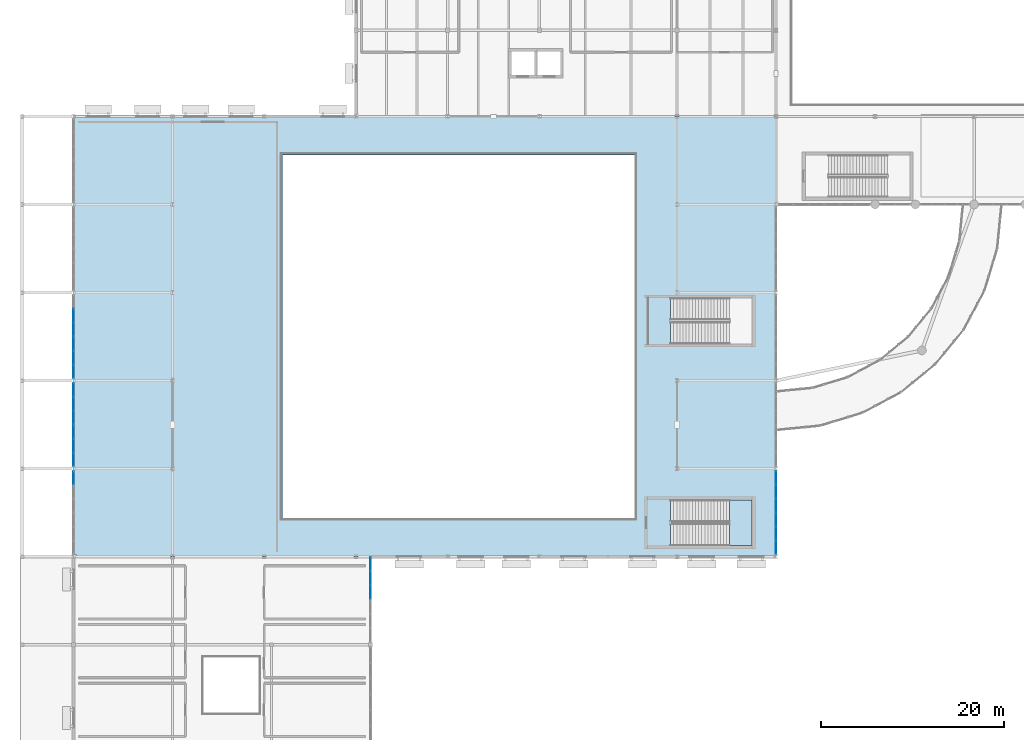
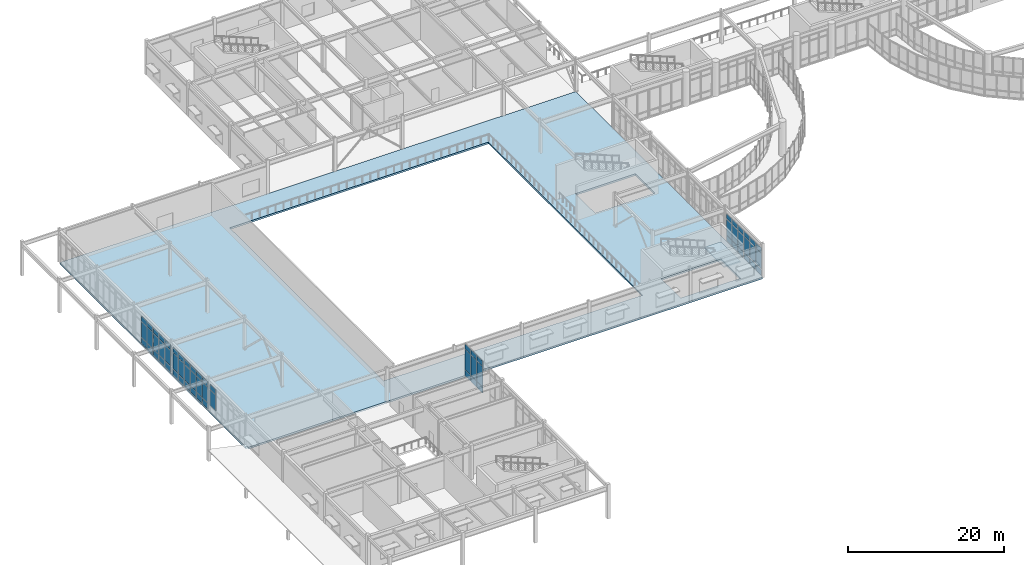
# One storey, part 38 of 72: 62 plates, 2 slabs, 9 elements without a shape of their own.
"""IFC4 building model written with IfcOpenShell, lengths in metres."""

from ifc_helpers import new_model, si_unit, direction, frame, origin, origin_2d, place, context, subcontext, project, spatial, polyline, rectangle, outline, extrude, material, layer, layer_set, type_object, element, aggregate, save


model = new_model("IFC4")

# Units and contexts
model_context = context("Model", 3, precision=1e-05, world=origin(), true_north=direction((0.0, 1.0)))
body_context = subcontext(model_context, "Body", "Model", "MODEL_VIEW")
ifc_project = project(units=[si_unit("LENGTHUNIT", "METRE"), si_unit("AREAUNIT", "SQUARE_METRE"), si_unit("VOLUMEUNIT", "CUBIC_METRE"), si_unit("PLANEANGLEUNIT", "RADIAN"), si_unit("MASSUNIT", "GRAM", prefix="KILO")], contexts=[model_context])

# Site, building, storey
site_placement = place(None, origin())
site = spatial("IfcSite", under=ifc_project, at=site_placement, CompositionType="ELEMENT")
building_placement = place(site_placement, origin())
building = spatial("IfcBuilding", under=site, at=building_placement, Name="Veldera Park Congress Hotel", CompositionType="ELEMENT")
storey_placement = place(building_placement, frame((0.0, 0.0, 5.39990234375)))
storey = spatial("IfcBuildingStorey", under=building, at=storey_placement, Name="L01", CompositionType="ELEMENT", Elevation=5.39990234375)

# Curtain wall, plates
ifc_material_1 = material(Name="Low-E Triple Insulating Glass Unit (SHGC 0.22)", Category="glass")
curtain_wall_type_1 = type_object("IfcCurtainWallType", Name="CW-CNG", PredefinedType="NOTDEFINED", material=ifc_material_1)
curtain_wall_1_placement = place(storey_placement, origin())
curtain_wall_1 = element("IfcCurtainWall", 1, at=curtain_wall_1_placement, inside=storey, type_object=curtain_wall_type_1, Name="L01 Curtain Wall CW3-V1W-L01-015", PredefinedType="NOTDEFINED")
ifc_layer_1 = layer(ifc_material_1, 0.035888671875)
ifc_layer_set_1 = layer_set([ifc_layer_1], Name="Low-E Triple Insulating Glass Unit (SHGC 0.22)")
plate_type_1 = type_object("IfcPlateType", Name="CWP-IGU36", PredefinedType="CURTAIN_PANEL", material=ifc_layer_set_1)
plate_1_placement = place(storey_placement, frame((-78.199951171875, 5.293701171875, 0.0751953125), z_axis=(0.0, 0.0, 1.0), x_axis=(0.0, -1.0, 0.0)))
plate_1 = element("IfcPlate", 2, at=plate_1_placement, type_object=plate_type_1, Name="CW-CNG panel 2.1", PredefinedType="CURTAIN_PANEL", context=body_context, shape_type="SweptSolid", body=[
    extrude(rectangle(XDim=1.444091796875, YDim=0.035888671875, at=origin_2d()), origin(), (0.0, 0.0, 1.0), 0.887451171875),
])
plate_2_placement = place(storey_placement, frame((-78.199951171875, 5.293701171875, 1.03759765625), z_axis=(0.0, 0.0, 1.0), x_axis=(0.0, -1.0, 0.0)))
plate_2 = element("IfcPlate", 3, at=plate_2_placement, type_object=plate_type_1, Name="CW-CNG panel 2.2", PredefinedType="CURTAIN_PANEL", context=body_context, shape_type="SweptSolid", body=[
    extrude(rectangle(XDim=1.444091796875, YDim=0.035888671875, at=origin_2d()), origin(), (0.0, 0.0, 1.0), 2.4541015625),
])
plate_3_placement = place(storey_placement, frame((-78.199951171875, 5.293701171875, 3.566650390625), z_axis=(0.0, 0.0, 1.0), x_axis=(0.0, -1.0, 0.0)))
plate_3 = element("IfcPlate", 4, at=plate_3_placement, type_object=plate_type_1, Name="CW-CNG panel 2.3", PredefinedType="CURTAIN_PANEL", context=body_context, shape_type="SweptSolid", body=[
    extrude(rectangle(XDim=1.444091796875, YDim=0.035888671875, at=origin_2d()), origin(), (0.0, 0.0, 1.0), 0.78759765625),
])
plate_4_placement = place(storey_placement, frame((-78.199951171875, 3.793212890625, 0.0751953125), z_axis=(0.0, 0.0, 1.0), x_axis=(0.0, -1.0, 0.0)))
plate_4 = element("IfcPlate", 5, at=plate_4_placement, type_object=plate_type_1, Name="CW-CNG panel 3.1", PredefinedType="CURTAIN_PANEL", context=body_context, shape_type="SweptSolid", body=[
    extrude(rectangle(XDim=1.40673828125, YDim=0.035888671875, at=origin_2d()), origin(), (0.0, 0.0, 1.0), 0.887451171875),
])
plate_5_placement = place(storey_placement, frame((-78.199951171875, 3.793212890625, 1.03759765625), z_axis=(0.0, 0.0, 1.0), x_axis=(0.0, -1.0, 0.0)))
plate_5 = element("IfcPlate", 6, at=plate_5_placement, type_object=plate_type_1, Name="CW-CNG panel 3.2", PredefinedType="CURTAIN_PANEL", context=body_context, shape_type="SweptSolid", body=[
    extrude(rectangle(XDim=1.40673828125, YDim=0.035888671875, at=origin_2d()), origin(), (0.0, 0.0, 1.0), 2.4541015625),
])
plate_6_placement = place(storey_placement, frame((-78.199951171875, 3.793212890625, 3.566650390625), z_axis=(0.0, 0.0, 1.0), x_axis=(0.0, -1.0, 0.0)))
plate_6 = element("IfcPlate", 7, at=plate_6_placement, type_object=plate_type_1, Name="CW-CNG panel 3.3", PredefinedType="CURTAIN_PANEL", context=body_context, shape_type="SweptSolid", body=[
    extrude(rectangle(XDim=1.40673828125, YDim=0.035888671875, at=origin_2d()), origin(), (0.0, 0.0, 1.0), 0.78759765625),
])
aggregate(curtain_wall_1, [plate_1, plate_2, plate_3, plate_4, plate_5, plate_6])

curtain_wall_2_placement = place(storey_placement, origin())
curtain_wall_2 = element("IfcCurtainWall", 8, at=curtain_wall_2_placement, inside=storey, type_object=curtain_wall_type_1, Name="L01 Curtain Wall CW3-V1W-L01-016", PredefinedType="NOTDEFINED")
plate_7_placement = place(storey_placement, frame((-78.199951171875, 2.206787109375, 0.0751953125), z_axis=(0.0, 0.0, 1.0), x_axis=(0.0, -1.0, 0.0)))
plate_7 = element("IfcPlate", 9, at=plate_7_placement, type_object=plate_type_1, Name="CW-CNG panel 1.1", PredefinedType="CURTAIN_PANEL", context=body_context, shape_type="SweptSolid", body=[
    extrude(rectangle(XDim=1.40673828125, YDim=0.035888671875, at=origin_2d()), origin(), (0.0, 0.0, 1.0), 0.887451171875),
])
plate_8_placement = place(storey_placement, frame((-78.199951171875, 2.206787109375, 1.03759765625), z_axis=(0.0, 0.0, 1.0), x_axis=(0.0, -1.0, 0.0)))
plate_8 = element("IfcPlate", 10, at=plate_8_placement, type_object=plate_type_1, Name="CW-CNG panel 1.2", PredefinedType="CURTAIN_PANEL", context=body_context, shape_type="SweptSolid", body=[
    extrude(rectangle(XDim=1.40673828125, YDim=0.035888671875, at=origin_2d()), origin(), (0.0, 0.0, 1.0), 2.4541015625),
])
plate_9_placement = place(storey_placement, frame((-78.199951171875, 2.206787109375, 3.566650390625), z_axis=(0.0, 0.0, 1.0), x_axis=(0.0, -1.0, 0.0)))
plate_9 = element("IfcPlate", 11, at=plate_9_placement, type_object=plate_type_1, Name="CW-CNG panel 1.3", PredefinedType="CURTAIN_PANEL", context=body_context, shape_type="SweptSolid", body=[
    extrude(rectangle(XDim=1.40673828125, YDim=0.035888671875, at=origin_2d()), origin(), (0.0, 0.0, 1.0), 0.78759765625),
])
plate_10_placement = place(storey_placement, frame((-78.199951171875, 0.706298828125, 0.0751953125), z_axis=(0.0, 0.0, 1.0), x_axis=(0.0, -1.0, 0.0)))
plate_10 = element("IfcPlate", 12, at=plate_10_placement, type_object=plate_type_1, Name="CW-CNG panel 2.1", PredefinedType="CURTAIN_PANEL", context=body_context, shape_type="SweptSolid", body=[
    extrude(rectangle(XDim=1.444091796875, YDim=0.035888671875, at=origin_2d()), origin(), (0.0, 0.0, 1.0), 0.887451171875),
])
plate_11_placement = place(storey_placement, frame((-78.199951171875, 0.706298828125, 1.03759765625), z_axis=(0.0, 0.0, 1.0), x_axis=(0.0, -1.0, 0.0)))
plate_11 = element("IfcPlate", 13, at=plate_11_placement, type_object=plate_type_1, Name="CW-CNG panel 2.2", PredefinedType="CURTAIN_PANEL", context=body_context, shape_type="SweptSolid", body=[
    extrude(rectangle(XDim=1.444091796875, YDim=0.035888671875, at=origin_2d()), origin(), (0.0, 0.0, 1.0), 2.4541015625),
])
plate_12_placement = place(storey_placement, frame((-78.199951171875, 0.706298828125, 3.566650390625), z_axis=(0.0, 0.0, 1.0), x_axis=(0.0, -1.0, 0.0)))
plate_12 = element("IfcPlate", 14, at=plate_12_placement, type_object=plate_type_1, Name="CW-CNG panel 2.3", PredefinedType="CURTAIN_PANEL", context=body_context, shape_type="SweptSolid", body=[
    extrude(rectangle(XDim=1.444091796875, YDim=0.035888671875, at=origin_2d()), origin(), (0.0, 0.0, 1.0), 0.78759765625),
])
plate_13_placement = place(storey_placement, frame((-78.199951171875, -0.794189453125, 0.0751953125), z_axis=(0.0, 0.0, 1.0), x_axis=(0.0, -1.0, 0.0)))
plate_13 = element("IfcPlate", 15, at=plate_13_placement, type_object=plate_type_1, Name="CW-CNG panel 3.1", PredefinedType="CURTAIN_PANEL", context=body_context, shape_type="SweptSolid", body=[
    extrude(rectangle(XDim=1.40673828125, YDim=0.035888671875, at=origin_2d()), origin(), (0.0, 0.0, 1.0), 0.887451171875),
])
plate_14_placement = place(storey_placement, frame((-78.199951171875, -0.794189453125, 1.03759765625), z_axis=(0.0, 0.0, 1.0), x_axis=(0.0, -1.0, 0.0)))
plate_14 = element("IfcPlate", 16, at=plate_14_placement, type_object=plate_type_1, Name="CW-CNG panel 3.2", PredefinedType="CURTAIN_PANEL", context=body_context, shape_type="SweptSolid", body=[
    extrude(rectangle(XDim=1.40673828125, YDim=0.035888671875, at=origin_2d()), origin(), (0.0, 0.0, 1.0), 2.4541015625),
])
plate_15_placement = place(storey_placement, frame((-78.199951171875, -0.794189453125, 3.566650390625), z_axis=(0.0, 0.0, 1.0), x_axis=(0.0, -1.0, 0.0)))
plate_15 = element("IfcPlate", 17, at=plate_15_placement, type_object=plate_type_1, Name="CW-CNG panel 3.3", PredefinedType="CURTAIN_PANEL", context=body_context, shape_type="SweptSolid", body=[
    extrude(rectangle(XDim=1.40673828125, YDim=0.035888671875, at=origin_2d()), origin(), (0.0, 0.0, 1.0), 0.78759765625),
])
aggregate(curtain_wall_2, [plate_7, plate_8, plate_9, plate_10, plate_11, plate_12, plate_13, plate_14, plate_15])

curtain_wall_3_placement = place(storey_placement, origin())
curtain_wall_3 = element("IfcCurtainWall", 18, at=curtain_wall_3_placement, inside=storey, type_object=curtain_wall_type_1, Name="L01 Curtain Wall CW3-V1W-L01-017", PredefinedType="NOTDEFINED")
plate_16_placement = place(storey_placement, frame((-78.199951171875, -2.805908203125, 0.0751953125), z_axis=(0.0, 0.0, 1.0), x_axis=(0.0, -1.0, 0.0)))
plate_16 = element("IfcPlate", 19, at=plate_16_placement, type_object=plate_type_1, Name="CW-CNG panel 1.1", PredefinedType="CURTAIN_PANEL", context=body_context, shape_type="SweptSolid", body=[
    extrude(rectangle(XDim=1.40673828125, YDim=0.035888671875, at=origin_2d()), origin(), (0.0, 0.0, 1.0), 0.887451171875),
])
plate_17_placement = place(storey_placement, frame((-78.199951171875, -2.805908203125, 1.03759765625), z_axis=(0.0, 0.0, 1.0), x_axis=(0.0, -1.0, 0.0)))
plate_17 = element("IfcPlate", 20, at=plate_17_placement, type_object=plate_type_1, Name="CW-CNG panel 1.2", PredefinedType="CURTAIN_PANEL", context=body_context, shape_type="SweptSolid", body=[
    extrude(rectangle(XDim=1.40673828125, YDim=0.035888671875, at=origin_2d()), origin(), (0.0, 0.0, 1.0), 2.4541015625),
])
plate_18_placement = place(storey_placement, frame((-78.199951171875, -2.805908203125, 3.566650390625), z_axis=(0.0, 0.0, 1.0), x_axis=(0.0, -1.0, 0.0)))
plate_18 = element("IfcPlate", 21, at=plate_18_placement, type_object=plate_type_1, Name="CW-CNG panel 1.3", PredefinedType="CURTAIN_PANEL", context=body_context, shape_type="SweptSolid", body=[
    extrude(rectangle(XDim=1.40673828125, YDim=0.035888671875, at=origin_2d()), origin(), (0.0, 0.0, 1.0), 0.78759765625),
])
plate_19_placement = place(storey_placement, frame((-78.199951171875, -4.30615234375, 0.0751953125), z_axis=(0.0, 0.0, 1.0), x_axis=(0.0, -1.0, 0.0)))
plate_19 = element("IfcPlate", 22, at=plate_19_placement, type_object=plate_type_1, Name="CW-CNG panel 2.1", PredefinedType="CURTAIN_PANEL", context=body_context, shape_type="SweptSolid", body=[
    extrude(rectangle(XDim=1.444091796875, YDim=0.035888671875, at=origin_2d()), origin(), (0.0, 0.0, 1.0), 0.887451171875),
])
plate_20_placement = place(storey_placement, frame((-78.199951171875, -4.30615234375, 1.03759765625), z_axis=(0.0, 0.0, 1.0), x_axis=(0.0, -1.0, 0.0)))
plate_20 = element("IfcPlate", 23, at=plate_20_placement, type_object=plate_type_1, Name="CW-CNG panel 2.2", PredefinedType="CURTAIN_PANEL", context=body_context, shape_type="SweptSolid", body=[
    extrude(rectangle(XDim=1.444091796875, YDim=0.035888671875, at=origin_2d()), origin(), (0.0, 0.0, 1.0), 2.4541015625),
])
plate_21_placement = place(storey_placement, frame((-78.199951171875, -4.30615234375, 3.566650390625), z_axis=(0.0, 0.0, 1.0), x_axis=(0.0, -1.0, 0.0)))
plate_21 = element("IfcPlate", 24, at=plate_21_placement, type_object=plate_type_1, Name="CW-CNG panel 2.3", PredefinedType="CURTAIN_PANEL", context=body_context, shape_type="SweptSolid", body=[
    extrude(rectangle(XDim=1.444091796875, YDim=0.035888671875, at=origin_2d()), origin(), (0.0, 0.0, 1.0), 0.78759765625),
])
plate_22_placement = place(storey_placement, frame((-78.199951171875, -5.806640625, 0.0751953125), z_axis=(0.0, 0.0, 1.0), x_axis=(0.0, -1.0, 0.0)))
plate_22 = element("IfcPlate", 25, at=plate_22_placement, type_object=plate_type_1, Name="CW-CNG panel 3.1", PredefinedType="CURTAIN_PANEL", context=body_context, shape_type="SweptSolid", body=[
    extrude(rectangle(XDim=1.40673828125, YDim=0.035888671875, at=origin_2d()), origin(), (0.0, 0.0, 1.0), 0.887451171875),
])
plate_23_placement = place(storey_placement, frame((-78.199951171875, -5.806640625, 1.03759765625), z_axis=(0.0, 0.0, 1.0), x_axis=(0.0, -1.0, 0.0)))
plate_23 = element("IfcPlate", 26, at=plate_23_placement, type_object=plate_type_1, Name="CW-CNG panel 3.2", PredefinedType="CURTAIN_PANEL", context=body_context, shape_type="SweptSolid", body=[
    extrude(rectangle(XDim=1.40673828125, YDim=0.035888671875, at=origin_2d()), origin(), (0.0, 0.0, 1.0), 2.4541015625),
])
plate_24_placement = place(storey_placement, frame((-78.199951171875, -5.806640625, 3.566650390625), z_axis=(0.0, 0.0, 1.0), x_axis=(0.0, -1.0, 0.0)))
plate_24 = element("IfcPlate", 27, at=plate_24_placement, type_object=plate_type_1, Name="CW-CNG panel 3.3", PredefinedType="CURTAIN_PANEL", context=body_context, shape_type="SweptSolid", body=[
    extrude(rectangle(XDim=1.40673828125, YDim=0.035888671875, at=origin_2d()), origin(), (0.0, 0.0, 1.0), 0.78759765625),
])
aggregate(curtain_wall_3, [plate_16, plate_17, plate_18, plate_19, plate_20, plate_21, plate_22, plate_23, plate_24])

curtain_wall_4_placement = place(storey_placement, origin())
curtain_wall_4 = element("IfcCurtainWall", 28, at=curtain_wall_4_placement, inside=storey, type_object=curtain_wall_type_1, Name="L01 Curtain Wall CW3-V1W-L01-018", PredefinedType="NOTDEFINED")
plate_25_placement = place(storey_placement, frame((-78.199951171875, -7.393310546875, 0.0751953125), z_axis=(0.0, 0.0, 1.0), x_axis=(0.0, -1.0, 0.0)))
plate_25 = element("IfcPlate", 29, at=plate_25_placement, type_object=plate_type_1, Name="CW-CNG panel 1.1", PredefinedType="CURTAIN_PANEL", context=body_context, shape_type="SweptSolid", body=[
    extrude(rectangle(XDim=1.40673828125, YDim=0.035888671875, at=origin_2d()), origin(), (0.0, 0.0, 1.0), 0.887451171875),
])
plate_26_placement = place(storey_placement, frame((-78.199951171875, -7.393310546875, 1.03759765625), z_axis=(0.0, 0.0, 1.0), x_axis=(0.0, -1.0, 0.0)))
plate_26 = element("IfcPlate", 30, at=plate_26_placement, type_object=plate_type_1, Name="CW-CNG panel 1.2", PredefinedType="CURTAIN_PANEL", context=body_context, shape_type="SweptSolid", body=[
    extrude(rectangle(XDim=1.40673828125, YDim=0.035888671875, at=origin_2d()), origin(), (0.0, 0.0, 1.0), 2.4541015625),
])
plate_27_placement = place(storey_placement, frame((-78.199951171875, -7.393310546875, 3.566650390625), z_axis=(0.0, 0.0, 1.0), x_axis=(0.0, -1.0, 0.0)))
plate_27 = element("IfcPlate", 31, at=plate_27_placement, type_object=plate_type_1, Name="CW-CNG panel 1.3", PredefinedType="CURTAIN_PANEL", context=body_context, shape_type="SweptSolid", body=[
    extrude(rectangle(XDim=1.40673828125, YDim=0.035888671875, at=origin_2d()), origin(), (0.0, 0.0, 1.0), 0.78759765625),
])
plate_28_placement = place(storey_placement, frame((-78.199951171875, -8.893798828125, 0.0751953125), z_axis=(0.0, 0.0, 1.0), x_axis=(0.0, -1.0, 0.0)))
plate_28 = element("IfcPlate", 32, at=plate_28_placement, type_object=plate_type_1, Name="CW-CNG panel 2.1", PredefinedType="CURTAIN_PANEL", context=body_context, shape_type="SweptSolid", body=[
    extrude(rectangle(XDim=1.444091796875, YDim=0.035888671875, at=origin_2d()), origin(), (0.0, 0.0, 1.0), 0.887451171875),
])
plate_29_placement = place(storey_placement, frame((-78.199951171875, -8.893798828125, 1.03759765625), z_axis=(0.0, 0.0, 1.0), x_axis=(0.0, -1.0, 0.0)))
plate_29 = element("IfcPlate", 33, at=plate_29_placement, type_object=plate_type_1, Name="CW-CNG panel 2.2", PredefinedType="CURTAIN_PANEL", context=body_context, shape_type="SweptSolid", body=[
    extrude(rectangle(XDim=1.444091796875, YDim=0.035888671875, at=origin_2d()), origin(), (0.0, 0.0, 1.0), 2.4541015625),
])
plate_30_placement = place(storey_placement, frame((-78.199951171875, -8.893798828125, 3.566650390625), z_axis=(0.0, 0.0, 1.0), x_axis=(0.0, -1.0, 0.0)))
plate_30 = element("IfcPlate", 34, at=plate_30_placement, type_object=plate_type_1, Name="CW-CNG panel 2.3", PredefinedType="CURTAIN_PANEL", context=body_context, shape_type="SweptSolid", body=[
    extrude(rectangle(XDim=1.444091796875, YDim=0.035888671875, at=origin_2d()), origin(), (0.0, 0.0, 1.0), 0.78759765625),
])
plate_31_placement = place(storey_placement, frame((-78.199951171875, -10.394287109375, 0.0751953125), z_axis=(0.0, 0.0, 1.0), x_axis=(0.0, -1.0, 0.0)))
plate_31 = element("IfcPlate", 35, at=plate_31_placement, type_object=plate_type_1, Name="CW-CNG panel 3.1", PredefinedType="CURTAIN_PANEL", context=body_context, shape_type="SweptSolid", body=[
    extrude(rectangle(XDim=1.40673828125, YDim=0.035888671875, at=origin_2d()), origin(), (0.0, 0.0, 1.0), 0.887451171875),
])
plate_32_placement = place(storey_placement, frame((-78.199951171875, -10.394287109375, 1.03759765625), z_axis=(0.0, 0.0, 1.0), x_axis=(0.0, -1.0, 0.0)))
plate_32 = element("IfcPlate", 36, at=plate_32_placement, type_object=plate_type_1, Name="CW-CNG panel 3.2", PredefinedType="CURTAIN_PANEL", context=body_context, shape_type="SweptSolid", body=[
    extrude(rectangle(XDim=1.40673828125, YDim=0.035888671875, at=origin_2d()), origin(), (0.0, 0.0, 1.0), 2.4541015625),
])
plate_33_placement = place(storey_placement, frame((-78.199951171875, -10.394287109375, 3.566650390625), z_axis=(0.0, 0.0, 1.0), x_axis=(0.0, -1.0, 0.0)))
plate_33 = element("IfcPlate", 37, at=plate_33_placement, type_object=plate_type_1, Name="CW-CNG panel 3.3", PredefinedType="CURTAIN_PANEL", context=body_context, shape_type="SweptSolid", body=[
    extrude(rectangle(XDim=1.40673828125, YDim=0.035888671875, at=origin_2d()), origin(), (0.0, 0.0, 1.0), 0.78759765625),
])
aggregate(curtain_wall_4, [plate_25, plate_26, plate_27, plate_28, plate_29, plate_30, plate_31, plate_32, plate_33])

curtain_wall_5_placement = place(storey_placement, origin())
curtain_wall_5 = element("IfcCurtainWall", 38, at=curtain_wall_5_placement, inside=storey, type_object=curtain_wall_type_1, Name="L01 Curtain Wall CW3-V1W-L01-019", PredefinedType="NOTDEFINED")
plate_34_placement = place(storey_placement, frame((-78.199951171875, -12.40576171875, 1.03759765625), z_axis=(0.0, 0.0, 1.0), x_axis=(0.0, -1.0, 0.0)))
plate_34 = element("IfcPlate", 39, at=plate_34_placement, type_object=plate_type_1, Name="CW-CNG panel 1.2", PredefinedType="CURTAIN_PANEL", context=body_context, shape_type="SweptSolid", body=[
    extrude(rectangle(XDim=1.40673828125, YDim=0.035888671875, at=origin_2d()), origin(), (0.0, 0.0, 1.0), 2.4541015625),
])
plate_35_placement = place(storey_placement, frame((-78.199951171875, -12.40576171875, 3.566650390625), z_axis=(0.0, 0.0, 1.0), x_axis=(0.0, -1.0, 0.0)))
plate_35 = element("IfcPlate", 40, at=plate_35_placement, type_object=plate_type_1, Name="CW-CNG panel 1.3", PredefinedType="CURTAIN_PANEL", context=body_context, shape_type="SweptSolid", body=[
    extrude(rectangle(XDim=1.40673828125, YDim=0.035888671875, at=origin_2d()), origin(), (0.0, 0.0, 1.0), 0.78759765625),
])
aggregate(curtain_wall_5, [plate_34, plate_35])

curtain_wall_type_2 = type_object("IfcCurtainWallType", Name="CW-POD", PredefinedType="NOTDEFINED", material=ifc_material_1)
curtain_wall_6_placement = place(storey_placement, origin())
curtain_wall_6 = element("IfcCurtainWall", 41, at=curtain_wall_6_placement, inside=storey, type_object=curtain_wall_type_2, Name="L01 Curtain Wall CW3-V1E-L01-021", PredefinedType="NOTDEFINED")
plate_36_placement = place(storey_placement, frame((-1.60009765625, -19.99267578125, 0.080078125), z_axis=(0.0, 0.0, 1.0), x_axis=(0.0, 1.0, 0.0)))
plate_36 = element("IfcPlate", 42, at=plate_36_placement, type_object=plate_type_1, Name="CW-POD panel 1.1", PredefinedType="CURTAIN_PANEL", context=body_context, shape_type="SweptSolid", body=[
    extrude(rectangle(XDim=1.3994140625, YDim=0.035888671875, at=origin_2d()), origin(), (0.0, 0.0, 1.0), 0.8798828125),
])
plate_37_placement = place(storey_placement, frame((-1.60009765625, -19.99267578125, 1.0400390625), z_axis=(0.0, 0.0, 1.0), x_axis=(0.0, 1.0, 0.0)))
plate_37 = element("IfcPlate", 43, at=plate_37_placement, type_object=plate_type_1, Name="CW-POD panel 1.2", PredefinedType="CURTAIN_PANEL", context=body_context, shape_type="SweptSolid", body=[
    extrude(rectangle(XDim=1.3994140625, YDim=0.035888671875, at=origin_2d()), origin(), (0.0, 0.0, 1.0), 2.451904296875),
])
plate_38_placement = place(storey_placement, frame((-1.60009765625, -19.99267578125, 3.572265625), z_axis=(0.0, 0.0, 1.0), x_axis=(0.0, 1.0, 0.0)))
plate_38 = element("IfcPlate", 44, at=plate_38_placement, type_object=plate_type_1, Name="CW-POD panel 1.3", PredefinedType="CURTAIN_PANEL", context=body_context, shape_type="SweptSolid", body=[
    extrude(rectangle(XDim=1.3994140625, YDim=0.035888671875, at=origin_2d()), origin(), (0.0, 0.0, 1.0), 0.780029296875),
])
plate_39_placement = place(storey_placement, frame((-1.60009765625, -18.493408203125, 0.080078125), z_axis=(0.0, 0.0, 1.0), x_axis=(0.0, 1.0, 0.0)))
plate_39 = element("IfcPlate", 45, at=plate_39_placement, type_object=plate_type_1, Name="CW-POD panel 2.1", PredefinedType="CURTAIN_PANEL", context=body_context, shape_type="SweptSolid", body=[
    extrude(rectangle(XDim=1.439453125, YDim=0.035888671875, at=origin_2d()), origin(), (0.0, 0.0, 1.0), 0.8798828125),
])
plate_40_placement = place(storey_placement, frame((-1.60009765625, -18.493408203125, 1.0400390625), z_axis=(0.0, 0.0, 1.0), x_axis=(0.0, 1.0, 0.0)))
plate_40 = element("IfcPlate", 46, at=plate_40_placement, type_object=plate_type_1, Name="CW-POD panel 2.2", PredefinedType="CURTAIN_PANEL", context=body_context, shape_type="SweptSolid", body=[
    extrude(rectangle(XDim=1.439453125, YDim=0.035888671875, at=origin_2d()), origin(), (0.0, 0.0, 1.0), 2.451904296875),
])
plate_41_placement = place(storey_placement, frame((-1.60009765625, -18.493408203125, 3.572265625), z_axis=(0.0, 0.0, 1.0), x_axis=(0.0, 1.0, 0.0)))
plate_41 = element("IfcPlate", 47, at=plate_41_placement, type_object=plate_type_1, Name="CW-POD panel 2.3", PredefinedType="CURTAIN_PANEL", context=body_context, shape_type="SweptSolid", body=[
    extrude(rectangle(XDim=1.439453125, YDim=0.035888671875, at=origin_2d()), origin(), (0.0, 0.0, 1.0), 0.780029296875),
])
plate_42_placement = place(storey_placement, frame((-1.60009765625, -16.993896484375, 0.080078125), z_axis=(0.0, 0.0, 1.0), x_axis=(0.0, 1.0, 0.0)))
plate_42 = element("IfcPlate", 48, at=plate_42_placement, type_object=plate_type_1, Name="CW-POD panel 3.1", PredefinedType="CURTAIN_PANEL", context=body_context, shape_type="SweptSolid", body=[
    extrude(rectangle(XDim=1.3994140625, YDim=0.035888671875, at=origin_2d()), origin(), (0.0, 0.0, 1.0), 0.8798828125),
])
plate_43_placement = place(storey_placement, frame((-1.60009765625, -16.993896484375, 1.0400390625), z_axis=(0.0, 0.0, 1.0), x_axis=(0.0, 1.0, 0.0)))
plate_43 = element("IfcPlate", 49, at=plate_43_placement, type_object=plate_type_1, Name="CW-POD panel 3.2", PredefinedType="CURTAIN_PANEL", context=body_context, shape_type="SweptSolid", body=[
    extrude(rectangle(XDim=1.3994140625, YDim=0.035888671875, at=origin_2d()), origin(), (0.0, 0.0, 1.0), 2.451904296875),
])
plate_44_placement = place(storey_placement, frame((-1.60009765625, -16.993896484375, 3.572265625), z_axis=(0.0, 0.0, 1.0), x_axis=(0.0, 1.0, 0.0)))
plate_44 = element("IfcPlate", 50, at=plate_44_placement, type_object=plate_type_1, Name="CW-POD panel 3.3", PredefinedType="CURTAIN_PANEL", context=body_context, shape_type="SweptSolid", body=[
    extrude(rectangle(XDim=1.3994140625, YDim=0.035888671875, at=origin_2d()), origin(), (0.0, 0.0, 1.0), 0.780029296875),
])
aggregate(curtain_wall_6, [plate_36, plate_37, plate_38, plate_39, plate_40, plate_41, plate_42, plate_43, plate_44])

curtain_wall_7_placement = place(storey_placement, origin())
curtain_wall_7 = element("IfcCurtainWall", 51, at=curtain_wall_7_placement, inside=storey, type_object=curtain_wall_type_2, Name="L01 Curtain Wall CW3-V1E-L01-022", PredefinedType="NOTDEFINED")
plate_45_placement = place(storey_placement, frame((-1.60009765625, -15.404541015625, 0.080078125), z_axis=(0.0, 0.0, 1.0), x_axis=(0.0, 1.0, 0.0)))
plate_45 = element("IfcPlate", 52, at=plate_45_placement, type_object=plate_type_1, Name="CW-POD panel 1.1", PredefinedType="CURTAIN_PANEL", context=body_context, shape_type="SweptSolid", body=[
    extrude(rectangle(XDim=1.3994140625, YDim=0.035888671875, at=origin_2d()), origin(), (0.0, 0.0, 1.0), 0.8798828125),
])
plate_46_placement = place(storey_placement, frame((-1.60009765625, -15.404541015625, 1.0400390625), z_axis=(0.0, 0.0, 1.0), x_axis=(0.0, 1.0, 0.0)))
plate_46 = element("IfcPlate", 53, at=plate_46_placement, type_object=plate_type_1, Name="CW-POD panel 1.2", PredefinedType="CURTAIN_PANEL", context=body_context, shape_type="SweptSolid", body=[
    extrude(rectangle(XDim=1.3994140625, YDim=0.035888671875, at=origin_2d()), origin(), (0.0, 0.0, 1.0), 2.451904296875),
])
plate_47_placement = place(storey_placement, frame((-1.60009765625, -15.404541015625, 3.572265625), z_axis=(0.0, 0.0, 1.0), x_axis=(0.0, 1.0, 0.0)))
plate_47 = element("IfcPlate", 54, at=plate_47_placement, type_object=plate_type_1, Name="CW-POD panel 1.3", PredefinedType="CURTAIN_PANEL", context=body_context, shape_type="SweptSolid", body=[
    extrude(rectangle(XDim=1.3994140625, YDim=0.035888671875, at=origin_2d()), origin(), (0.0, 0.0, 1.0), 0.780029296875),
])
plate_48_placement = place(storey_placement, frame((-1.60009765625, -13.905029296875, 0.080078125), z_axis=(0.0, 0.0, 1.0), x_axis=(0.0, 1.0, 0.0)))
plate_48 = element("IfcPlate", 55, at=plate_48_placement, type_object=plate_type_1, Name="CW-POD panel 2.1", PredefinedType="CURTAIN_PANEL", context=body_context, shape_type="SweptSolid", body=[
    extrude(rectangle(XDim=1.439453125, YDim=0.035888671875, at=origin_2d()), origin(), (0.0, 0.0, 1.0), 0.8798828125),
])
plate_49_placement = place(storey_placement, frame((-1.60009765625, -13.905029296875, 1.0400390625), z_axis=(0.0, 0.0, 1.0), x_axis=(0.0, 1.0, 0.0)))
plate_49 = element("IfcPlate", 56, at=plate_49_placement, type_object=plate_type_1, Name="CW-POD panel 2.2", PredefinedType="CURTAIN_PANEL", context=body_context, shape_type="SweptSolid", body=[
    extrude(rectangle(XDim=1.439453125, YDim=0.035888671875, at=origin_2d()), origin(), (0.0, 0.0, 1.0), 2.451904296875),
])
plate_50_placement = place(storey_placement, frame((-1.60009765625, -13.905029296875, 3.572265625), z_axis=(0.0, 0.0, 1.0), x_axis=(0.0, 1.0, 0.0)))
plate_50 = element("IfcPlate", 57, at=plate_50_placement, type_object=plate_type_1, Name="CW-POD panel 2.3", PredefinedType="CURTAIN_PANEL", context=body_context, shape_type="SweptSolid", body=[
    extrude(rectangle(XDim=1.439453125, YDim=0.035888671875, at=origin_2d()), origin(), (0.0, 0.0, 1.0), 0.780029296875),
])
plate_51_placement = place(storey_placement, frame((-1.60009765625, -12.40576171875, 0.080078125), z_axis=(0.0, 0.0, 1.0), x_axis=(0.0, 1.0, 0.0)))
plate_51 = element("IfcPlate", 58, at=plate_51_placement, type_object=plate_type_1, Name="CW-POD panel 3.1", PredefinedType="CURTAIN_PANEL", context=body_context, shape_type="SweptSolid", body=[
    extrude(rectangle(XDim=1.3994140625, YDim=0.035888671875, at=origin_2d()), origin(), (0.0, 0.0, 1.0), 0.8798828125),
])
plate_52_placement = place(storey_placement, frame((-1.60009765625, -12.40576171875, 1.0400390625), z_axis=(0.0, 0.0, 1.0), x_axis=(0.0, 1.0, 0.0)))
plate_52 = element("IfcPlate", 59, at=plate_52_placement, type_object=plate_type_1, Name="CW-POD panel 3.2", PredefinedType="CURTAIN_PANEL", context=body_context, shape_type="SweptSolid", body=[
    extrude(rectangle(XDim=1.3994140625, YDim=0.035888671875, at=origin_2d()), origin(), (0.0, 0.0, 1.0), 2.451904296875),
])
plate_53_placement = place(storey_placement, frame((-1.60009765625, -12.40576171875, 3.572265625), z_axis=(0.0, 0.0, 1.0), x_axis=(0.0, 1.0, 0.0)))
plate_53 = element("IfcPlate", 60, at=plate_53_placement, type_object=plate_type_1, Name="CW-POD panel 3.3", PredefinedType="CURTAIN_PANEL", context=body_context, shape_type="SweptSolid", body=[
    extrude(rectangle(XDim=1.3994140625, YDim=0.035888671875, at=origin_2d()), origin(), (0.0, 0.0, 1.0), 0.780029296875),
])
aggregate(curtain_wall_7, [plate_45, plate_46, plate_47, plate_48, plate_49, plate_50, plate_51, plate_52, plate_53])

curtain_wall_type_3 = type_object("IfcCurtainWallType", Name="CW-SPA", PredefinedType="NOTDEFINED", material=ifc_material_1)
curtain_wall_8_placement = place(storey_placement, origin())
curtain_wall_8 = element("IfcCurtainWall", 61, at=curtain_wall_8_placement, inside=storey, type_object=curtain_wall_type_3, Name="L01 Curtain Wall CW3-V3E-L01-044", PredefinedType="NOTDEFINED")
ifc_layer_2 = layer(ifc_material_1, 0.0439453125)
ifc_layer_set_2 = layer_set([ifc_layer_2], Name="Low-E Triple Insulating Glass Unit (SHGC 0.22)")
plate_type_2 = type_object("IfcPlateType", Name="CWP-IGU44", PredefinedType="CURTAIN_PANEL", material=ifc_layer_set_2)
plate_54_placement = place(storey_placement, frame((-45.800048828125, -24.870849609375, 0.06005859375), z_axis=(0.0, 0.0, 1.0), x_axis=(0.0, 1.0, 0.0)))
plate_54 = element("IfcPlate", 62, at=plate_54_placement, type_object=plate_type_2, Name="CW-SPA panel 1.1", PredefinedType="CURTAIN_PANEL", context=body_context, shape_type="SweptSolid", body=[
    extrude(rectangle(XDim=1.458251953125, YDim=0.0439453125, at=origin_2d()), origin(), (0.0, 0.0, 1.0), 0.909912109375),
])
plate_55_placement = place(storey_placement, frame((-45.800048828125, -24.870849609375, 1.030029296875), z_axis=(0.0, 0.0, 1.0), x_axis=(0.0, 1.0, 0.0)))
plate_55 = element("IfcPlate", 63, at=plate_55_placement, type_object=plate_type_2, Name="CW-SPA panel 1.2", PredefinedType="CURTAIN_PANEL", context=body_context, shape_type="SweptSolid", body=[
    extrude(rectangle(XDim=1.458251953125, YDim=0.0439453125, at=origin_2d()), origin(), (0.0, 0.0, 1.0), 3.169921875),
])
plate_56_placement = place(storey_placement, frame((-45.800048828125, -24.870849609375, 4.260009765625), z_axis=(0.0, 0.0, 1.0), x_axis=(0.0, 1.0, 0.0)))
plate_56 = element("IfcPlate", 64, at=plate_56_placement, type_object=plate_type_2, Name="CW-SPA panel 1.3", PredefinedType="CURTAIN_PANEL", context=body_context, shape_type="SweptSolid", body=[
    extrude(rectangle(XDim=1.458251953125, YDim=0.0439453125, at=origin_2d()), origin(), (0.0, 0.0, 1.0), 0.81005859375),
])
plate_57_placement = place(storey_placement, frame((-45.800048828125, -23.33740234375, 0.06005859375), z_axis=(0.0, 0.0, 1.0), x_axis=(0.0, 1.0, 0.0)))
plate_57 = element("IfcPlate", 65, at=plate_57_placement, type_object=plate_type_2, Name="CW-SPA panel 2.1", PredefinedType="CURTAIN_PANEL", context=body_context, shape_type="SweptSolid", body=[
    extrude(rectangle(XDim=1.48828125, YDim=0.0439453125, at=origin_2d()), origin(), (0.0, 0.0, 1.0), 0.909912109375),
])
plate_58_placement = place(storey_placement, frame((-45.800048828125, -23.33740234375, 1.030029296875), z_axis=(0.0, 0.0, 1.0), x_axis=(0.0, 1.0, 0.0)))
plate_58 = element("IfcPlate", 66, at=plate_58_placement, type_object=plate_type_2, Name="CW-SPA panel 2.2", PredefinedType="CURTAIN_PANEL", context=body_context, shape_type="SweptSolid", body=[
    extrude(rectangle(XDim=1.48828125, YDim=0.0439453125, at=origin_2d()), origin(), (0.0, 0.0, 1.0), 3.169921875),
])
plate_59_placement = place(storey_placement, frame((-45.800048828125, -23.33740234375, 4.260009765625), z_axis=(0.0, 0.0, 1.0), x_axis=(0.0, 1.0, 0.0)))
plate_59 = element("IfcPlate", 67, at=plate_59_placement, type_object=plate_type_2, Name="CW-SPA panel 2.3", PredefinedType="CURTAIN_PANEL", context=body_context, shape_type="SweptSolid", body=[
    extrude(rectangle(XDim=1.48828125, YDim=0.0439453125, at=origin_2d()), origin(), (0.0, 0.0, 1.0), 0.81005859375),
])
plate_60_placement = place(storey_placement, frame((-45.800048828125, -21.80419921875, 0.06005859375), z_axis=(0.0, 0.0, 1.0), x_axis=(0.0, 1.0, 0.0)))
plate_60 = element("IfcPlate", 68, at=plate_60_placement, type_object=plate_type_2, Name="CW-SPA panel 3.1", PredefinedType="CURTAIN_PANEL", context=body_context, shape_type="SweptSolid", body=[
    extrude(rectangle(XDim=1.458251953125, YDim=0.0439453125, at=origin_2d()), origin(), (0.0, 0.0, 1.0), 0.909912109375),
])
plate_61_placement = place(storey_placement, frame((-45.800048828125, -21.80419921875, 1.030029296875), z_axis=(0.0, 0.0, 1.0), x_axis=(0.0, 1.0, 0.0)))
plate_61 = element("IfcPlate", 69, at=plate_61_placement, type_object=plate_type_2, Name="CW-SPA panel 3.2", PredefinedType="CURTAIN_PANEL", context=body_context, shape_type="SweptSolid", body=[
    extrude(rectangle(XDim=1.458251953125, YDim=0.0439453125, at=origin_2d()), origin(), (0.0, 0.0, 1.0), 3.169921875),
])
plate_62_placement = place(storey_placement, frame((-45.800048828125, -21.80419921875, 4.260009765625), z_axis=(0.0, 0.0, 1.0), x_axis=(0.0, 1.0, 0.0)))
plate_62 = element("IfcPlate", 70, at=plate_62_placement, type_object=plate_type_2, Name="CW-SPA panel 3.3", PredefinedType="CURTAIN_PANEL", context=body_context, shape_type="SweptSolid", body=[
    extrude(rectangle(XDim=1.458251953125, YDim=0.0439453125, at=origin_2d()), origin(), (0.0, 0.0, 1.0), 0.81005859375),
])
aggregate(curtain_wall_8, [plate_54, plate_55, plate_56, plate_57, plate_58, plate_59, plate_60, plate_61, plate_62])

# Slab
ifc_material_2 = material(Name="Concrete f'c 40 MPa (5,800 psi)", Category="concrete")
ifc_layer_3 = layer(ifc_material_2, 0.280029296875)
ifc_layer_set_3 = layer_set([ifc_layer_3], Name="Concrete f'c 40 MPa (5,800 psi)")
slab_type_1 = type_object("IfcSlabType", Name="SLB-RC280", PredefinedType="FLOOR", material=ifc_layer_set_3)
slab_1_placement = place(storey_placement, frame((0.0, 0.0, -0.27978515625)))
element("IfcSlab", 71, at=slab_1_placement, inside=storey, type_object=slab_type_1, Name="L01 Floor Slab SLB-L01-V1", PredefinedType="FLOOR", context=body_context, shape_type="SweptSolid", body=[
    extrude(outline(polyline([(-78.199951171875, -20.739990234375), (-77.93994140625, -20.739990234375), (-77.93994140625, -21.0), (-1.60009765625, -21.0), (-1.60009765625, 27.0), (-78.199951171875, 27.0), (-78.199951171875, -20.739990234375)]), holes=[polyline([(-13.0849609375, -19.800048828125), (-4.199951171875, -19.800048828125), (-4.199951171875, -14.800048828125), (-13.0849609375, -14.800048828125), (-13.0849609375, -19.800048828125)]), polyline([(-13.0849609375, 2.199951171875), (-4.199951171875, 2.199951171875), (-4.199951171875, 7.199951171875), (-13.0849609375, 7.199951171875), (-13.0849609375, 2.199951171875)]), polyline([(-55.39990234375, -16.800048828125), (-17.0, -16.800048828125), (-17.0, 22.800048828125), (-55.39990234375, 22.800048828125), (-55.39990234375, -16.800048828125)])]), origin(), (0.0, 0.0, 1.0), 0.27978515625),
])

# Stair, slab
stair_type = type_object("IfcStairType", Name="ST5", PredefinedType="HALF_TURN_STAIR", material=ifc_material_2)
stair_placement = place(storey_placement, origin())
stair = element("IfcStair", 72, at=stair_placement, inside=storey, type_object=stair_type, Name="L01 Protected Exit Stair ST5", PredefinedType="HALF_TURN_STAIR")
ifc_layer_4 = layer(ifc_material_2, 0.199951171875)
ifc_layer_set_4 = layer_set([ifc_layer_4], Name="Concrete f'c 40 MPa (5,800 psi)")
slab_type_2 = type_object("IfcSlabType", Name="SLD-ST5", PredefinedType="LANDING", material=ifc_layer_set_4)
slab_2_placement = place(storey_placement, frame((0.0, 0.0, 2.5)))
slab_2 = element("IfcSlab", 73, at=slab_2_placement, type_object=slab_type_2, Name="ST5 landing 1", PredefinedType="LANDING", context=body_context, shape_type="SweptSolid", body=[
    extrude(outline(polyline([(-6.655029296875, -19.800048828125), (-4.199951171875, -19.800048828125), (-4.199951171875, -14.800048828125), (-6.655029296875, -14.800048828125), (-6.655029296875, -19.800048828125)])), origin(), (0.0, 0.0, 1.0), 0.2001953125),
])
aggregate(stair, [slab_2])

save(model, "model.ifc")
